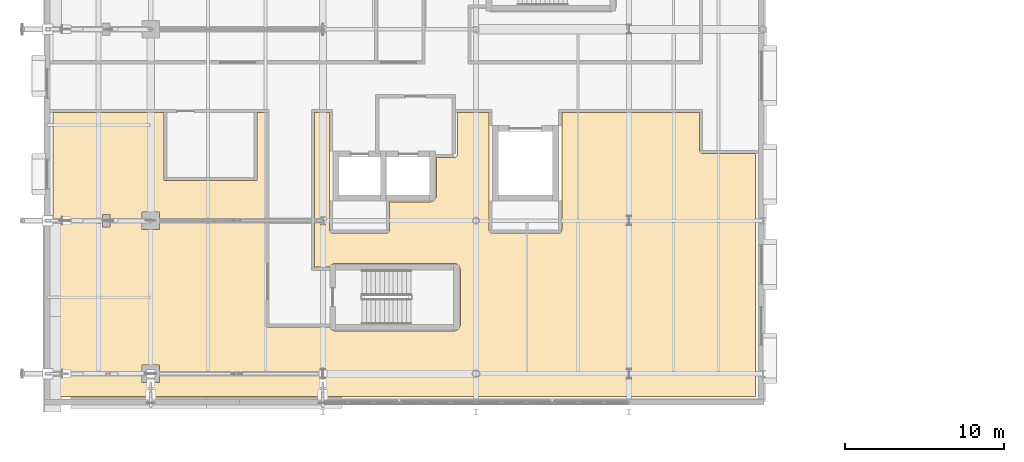
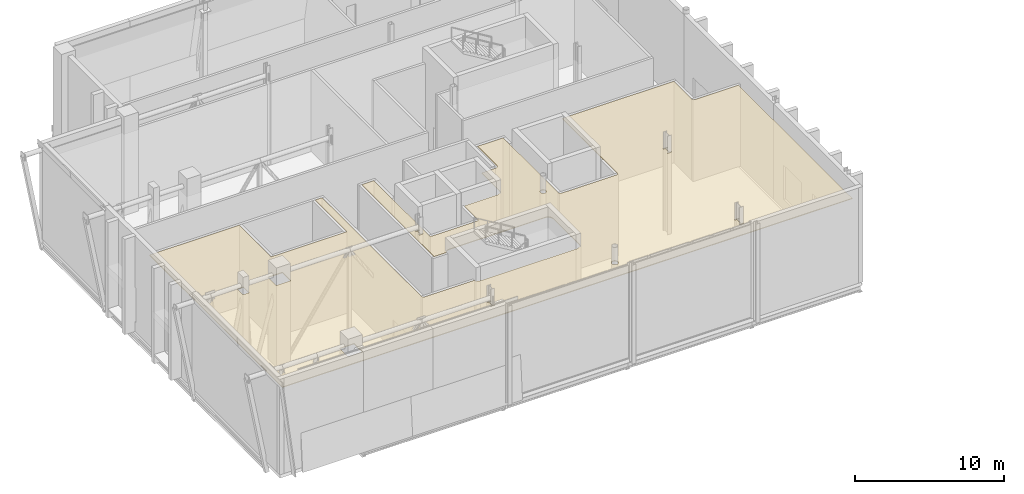
# One storey, part 65 of 79: 1 covering.
"""IFC4 building model written with IfcOpenShell, lengths in metres."""

from ifc_helpers import new_model, si_unit, direction, frame, origin, place, context, subcontext, project, spatial, polyline, outline, extrude, material, layer, layer_set, type_object, element, save


model = new_model("IFC4")

# Units and contexts
model_context = context("Model", 3, precision=1e-05, world=origin(), true_north=direction((0.0, 1.0)))
body_context = subcontext(model_context, "Body", "Model", "MODEL_VIEW")
ifc_project = project(units=[si_unit("LENGTHUNIT", "METRE"), si_unit("AREAUNIT", "SQUARE_METRE"), si_unit("VOLUMEUNIT", "CUBIC_METRE"), si_unit("PLANEANGLEUNIT", "RADIAN"), si_unit("MASSUNIT", "GRAM", prefix="KILO")], contexts=[model_context])

# Site, building, storey
site_placement = place(None, origin())
site = spatial("IfcSite", under=ifc_project, at=site_placement, CompositionType="ELEMENT")
building_placement = place(site_placement, origin())
building = spatial("IfcBuilding", under=site, at=building_placement, Name="Zereglee Splitstone Museum", CompositionType="ELEMENT")
storey_placement = place(building_placement, frame((0.0, 0.0, 9.0)))
storey = spatial("IfcBuildingStorey", under=building, at=storey_placement, Name="L02", CompositionType="ELEMENT", Elevation=9.0)

# Covering
ifc_material = material(Name="Siberian larch acoustic timber ceiling", Category="wood")
ifc_layer = layer(ifc_material, 0.06005859375)
ifc_layer_set = layer_set([ifc_layer], Name="Siberian larch acoustic timber ceiling")
covering_type = type_object("IfcCoveringType", Name="CLG-01", PredefinedType="CEILING", material=ifc_layer_set)
covering_placement = place(storey_placement, frame((0.0, 0.0, 6.639892578125)))
element("IfcCovering", 1, at=covering_placement, inside=storey, type_object=covering_type, Name="Acoustic Ceiling L02-033", PredefinedType="CEILING", context=body_context, shape_type="SweptSolid", body=[
    extrude(outline(polyline([(19.8798828125, 16.3701171875), (20.820068359375, 16.3701171875), (20.820068359375, 9.0), (20.820068359375, 8.9990234375), (20.82080078125, 8.9833984375), (20.821044921875, 8.9814453125), (20.8232421875, 8.9658203125), (20.82373046875, 8.9638671875), (20.827392578125, 8.94873046875), (20.828125, 8.94677734375), (20.833251953125, 8.931884765625), (20.833984375, 8.93017578125), (20.8408203125, 8.916015625), (20.841796875, 8.914306640625), (20.849853515625, 8.90087890625), (20.850830078125, 8.899169921875), (20.8603515625, 8.88671875), (20.861572265625, 8.885009765625), (20.8720703125, 8.873291015625), (20.873291015625, 8.8720703125), (20.885009765625, 8.861572265625), (20.88671875, 8.8603515625), (20.899169921875, 8.850830078125), (20.90087890625, 8.849853515625), (20.914306640625, 8.841796875), (20.916015625, 8.8408203125), (20.93017578125, 8.833984375), (20.931884765625, 8.833251953125), (20.94677734375, 8.828125), (20.94873046875, 8.827392578125), (20.9638671875, 8.82373046875), (20.9658203125, 8.8232421875), (20.9814453125, 8.821044921875), (20.9833984375, 8.82080078125), (20.9990234375, 8.820068359375), (21.0, 8.820068359375), (24.39990234375, 8.820068359375), (24.40087890625, 8.820068359375), (24.416748046875, 8.82080078125), (24.418701171875, 8.821044921875), (24.43408203125, 8.8232421875), (24.43603515625, 8.82373046875), (24.451416015625, 8.827392578125), (24.453125, 8.828125), (24.468017578125, 8.833251953125), (24.4697265625, 8.833984375), (24.48388671875, 8.8408203125), (24.485595703125, 8.841796875), (24.499267578125, 8.849853515625), (24.500732421875, 8.850830078125), (24.513427734375, 8.8603515625), (24.514892578125, 8.861572265625), (24.526611328125, 8.8720703125), (24.528076171875, 8.873291015625), (24.53857421875, 8.885009765625), (24.539794921875, 8.88671875), (24.549072265625, 8.899169921875), (24.55029296875, 8.90087890625), (24.558349609375, 8.914306640625), (24.55908203125, 8.916015625), (24.56591796875, 8.93017578125), (24.566650390625, 8.931884765625), (24.572021484375, 8.94677734375), (24.572509765625, 8.94873046875), (24.576416015625, 8.9638671875), (24.57666015625, 8.9658203125), (24.5791015625, 8.9814453125), (24.5791015625, 8.9833984375), (24.580078125, 8.9990234375), (24.580078125, 9.0), (24.580078125, 10.780029296875), (27.10009765625, 10.780029296875), (27.14111328125, 10.781982421875), (27.181884765625, 10.7880859375), (27.221923828125, 10.798095703125), (27.2607421875, 10.81201171875), (27.298095703125, 10.82958984375), (27.333251953125, 10.850830078125), (27.366455078125, 10.875244140625), (27.39697265625, 10.903076171875), (27.4248046875, 10.93359375), (27.44921875, 10.966796875), (27.470458984375, 11.001953125), (27.488037109375, 11.039306640625), (27.501953125, 11.078125), (27.511962890625, 11.1181640625), (27.51806640625, 11.15869140625), (27.52001953125, 11.199951171875), (27.52001953125, 13.550048828125), (28.60009765625, 13.550048828125), (28.62451171875, 13.55126953125), (28.648681640625, 13.5546875), (28.672607421875, 13.560791015625), (28.69580078125, 13.569091796875), (28.7177734375, 13.57958984375), (28.739013671875, 13.592041015625), (28.758544921875, 13.606689453125), (28.77685546875, 13.623291015625), (28.793212890625, 13.641357421875), (28.807861328125, 13.6611328125), (28.820556640625, 13.68212890625), (28.8310546875, 13.704345703125), (28.839111328125, 13.727294921875), (28.84521484375, 13.751220703125), (28.848876953125, 13.775390625), (28.85009765625, 13.800048828125), (28.85009765625, 16.3701171875), (30.820068359375, 16.3701171875), (30.820068359375, 9.0), (30.820068359375, 8.9990234375), (30.82080078125, 8.9833984375), (30.821044921875, 8.9814453125), (30.8232421875, 8.9658203125), (30.82373046875, 8.9638671875), (30.827392578125, 8.94873046875), (30.828125, 8.94677734375), (30.833251953125, 8.931884765625), (30.833984375, 8.93017578125), (30.8408203125, 8.916015625), (30.841796875, 8.914306640625), (30.849853515625, 8.90087890625), (30.850830078125, 8.899169921875), (30.8603515625, 8.88671875), (30.861572265625, 8.885009765625), (30.8720703125, 8.873291015625), (30.873291015625, 8.8720703125), (30.885009765625, 8.861572265625), (30.88671875, 8.8603515625), (30.899169921875, 8.850830078125), (30.90087890625, 8.849853515625), (30.914306640625, 8.841796875), (30.916015625, 8.8408203125), (30.93017578125, 8.833984375), (30.931884765625, 8.833251953125), (30.94677734375, 8.828125), (30.94873046875, 8.827392578125), (30.9638671875, 8.82373046875), (30.9658203125, 8.8232421875), (30.9814453125, 8.821044921875), (30.9833984375, 8.82080078125), (30.9990234375, 8.820068359375), (31.0, 8.820068359375), (35.199951171875, 8.820068359375), (35.200927734375, 8.820068359375), (35.216796875, 8.82080078125), (35.218505859375, 8.821044921875), (35.234130859375, 8.8232421875), (35.236083984375, 8.82373046875), (35.251220703125, 8.827392578125), (35.253173828125, 8.828125), (35.26806640625, 8.833251953125), (35.269775390625, 8.833984375), (35.283935546875, 8.8408203125), (35.28564453125, 8.841796875), (35.29931640625, 8.849853515625), (35.30078125, 8.850830078125), (35.3134765625, 8.8603515625), (35.31494140625, 8.861572265625), (35.32666015625, 8.8720703125), (35.327880859375, 8.873291015625), (35.33837890625, 8.885009765625), (35.339599609375, 8.88671875), (35.34912109375, 8.899169921875), (35.35009765625, 8.90087890625), (35.3583984375, 8.914306640625), (35.359130859375, 8.916015625), (35.365966796875, 8.93017578125), (35.36669921875, 8.931884765625), (35.371826171875, 8.94677734375), (35.37255859375, 8.94873046875), (35.376220703125, 8.9638671875), (35.376708984375, 8.9658203125), (35.37890625, 8.9814453125), (35.379150390625, 8.9833984375), (35.3798828125, 8.9990234375), (35.3798828125, 9.0), (35.3798828125, 16.3701171875), (44.02001953125, 16.3701171875), (44.02001953125, 14.0), (44.02001953125, 13.9990234375), (44.020751953125, 13.9833984375), (44.02099609375, 13.9814453125), (44.023193359375, 13.9658203125), (44.023681640625, 13.9638671875), (44.027587890625, 13.94873046875), (44.028076171875, 13.94677734375), (44.033203125, 13.931884765625), (44.0341796875, 13.93017578125), (44.040771484375, 13.916015625), (44.041748046875, 13.914306640625), (44.0498046875, 13.90087890625), (44.05078125, 13.899169921875), (44.060302734375, 13.88671875), (44.0615234375, 13.885009765625), (44.072021484375, 13.873291015625), (44.073486328125, 13.8720703125), (44.085205078125, 13.861572265625), (44.086669921875, 13.8603515625), (44.09912109375, 13.850830078125), (44.100830078125, 13.849853515625), (44.1142578125, 13.841796875), (44.115966796875, 13.8408203125), (44.130126953125, 13.833984375), (44.132080078125, 13.833251953125), (44.146728515625, 13.828125), (44.148681640625, 13.827392578125), (44.163818359375, 13.82373046875), (44.166015625, 13.8232421875), (44.181396484375, 13.821044921875), (44.183349609375, 13.82080078125), (44.198974609375, 13.820068359375), (44.199951171875, 13.820068359375), (47.5400390625, 13.820068359375), (47.5400390625, -1.43994140625), (3.4599609375, -1.43994140625), (3.4599609375, 16.3701171875), (10.419921875, 16.3701171875), (10.419921875, 12.1298828125), (10.420166015625, 12.1279296875), (10.42041015625, 12.126220703125), (10.4208984375, 12.124267578125), (10.42138671875, 12.122314453125), (10.42236328125, 12.12060546875), (10.42333984375, 12.118896484375), (10.424560546875, 12.1171875), (10.42578125, 12.115966796875), (10.42724609375, 12.114501953125), (10.428955078125, 12.11328125), (10.4306640625, 12.1123046875), (10.432373046875, 12.111572265625), (10.43408203125, 12.11083984375), (10.43603515625, 12.1103515625), (10.43798828125, 12.110107421875), (10.43994140625, 12.110107421875), (16.260009765625, 12.110107421875), (16.261962890625, 12.110107421875), (16.263916015625, 12.1103515625), (16.265869140625, 12.11083984375), (16.267578125, 12.111572265625), (16.269287109375, 12.1123046875), (16.27099609375, 12.11328125), (16.272705078125, 12.114501953125), (16.274169921875, 12.115966796875), (16.275390625, 12.1171875), (16.276611328125, 12.118896484375), (16.277587890625, 12.12060546875), (16.278564453125, 12.122314453125), (16.279052734375, 12.124267578125), (16.279541015625, 12.126220703125), (16.27978515625, 12.1279296875), (16.280029296875, 12.1298828125), (16.280029296875, 16.3701171875), (16.820068359375, 16.3701171875), (16.820068359375, 3.10009765625), (16.820068359375, 3.09912109375), (16.82080078125, 3.083251953125), (16.821044921875, 3.081298828125), (16.8232421875, 3.06591796875), (16.82373046875, 3.06396484375), (16.827392578125, 3.048583984375), (16.828125, 3.046875), (16.833251953125, 3.031982421875), (16.833984375, 3.0302734375), (16.8408203125, 3.01611328125), (16.841796875, 3.014404296875), (16.849853515625, 3.000732421875), (16.850830078125, 2.999267578125), (16.8603515625, 2.986572265625), (16.861572265625, 2.985107421875), (16.8720703125, 2.973388671875), (16.873291015625, 2.971923828125), (16.885009765625, 2.96142578125), (16.88671875, 2.960205078125), (16.899169921875, 2.950927734375), (16.90087890625, 2.94970703125), (16.914306640625, 2.941650390625), (16.916015625, 2.94091796875), (16.93017578125, 2.93408203125), (16.931884765625, 2.933349609375), (16.94677734375, 2.927978515625), (16.94873046875, 2.927490234375), (16.9638671875, 2.923583984375), (16.9658203125, 2.92333984375), (16.9814453125, 2.9208984375), (16.9833984375, 2.9208984375), (16.9990234375, 2.919921875), (17.0, 2.919921875), (20.821044921875, 2.919921875), (20.82958984375, 2.902099609375), (20.850830078125, 2.86669921875), (20.875244140625, 2.83349609375), (20.903076171875, 2.802978515625), (20.93359375, 2.775390625), (20.966796875, 2.750732421875), (21.001953125, 2.7294921875), (21.039306640625, 2.7119140625), (21.078125, 2.697998046875), (21.1181640625, 2.68798828125), (21.15869140625, 2.681884765625), (21.199951171875, 2.679931640625), (28.60009765625, 2.679931640625), (28.64111328125, 2.681884765625), (28.681884765625, 2.68798828125), (28.721923828125, 2.697998046875), (28.7607421875, 2.7119140625), (28.798095703125, 2.7294921875), (28.833251953125, 2.750732421875), (28.866455078125, 2.775390625), (28.89697265625, 2.802978515625), (28.9248046875, 2.83349609375), (28.94921875, 2.86669921875), (28.970458984375, 2.902099609375), (28.988037109375, 2.939208984375), (29.001953125, 2.97802734375), (29.011962890625, 3.01806640625), (29.01806640625, 3.058837890625), (29.02001953125, 3.10009765625), (29.02001953125, 6.5), (29.01806640625, 6.541259765625), (29.011962890625, 6.581787109375), (29.001953125, 6.621826171875), (28.988037109375, 6.66064453125), (28.970458984375, 6.697998046875), (28.94921875, 6.7333984375), (28.9248046875, 6.766357421875), (28.89697265625, 6.797119140625), (28.866455078125, 6.82470703125), (28.833251953125, 6.84912109375), (28.798095703125, 6.870361328125), (28.7607421875, 6.887939453125), (28.721923828125, 6.90185546875), (28.681884765625, 6.911865234375), (28.64111328125, 6.91796875), (28.60009765625, 6.919921875), (21.199951171875, 6.919921875), (21.15869140625, 6.91796875), (21.1181640625, 6.911865234375), (21.078125, 6.90185546875), (21.039306640625, 6.887939453125), (21.001953125, 6.870361328125), (20.966796875, 6.84912109375), (20.93359375, 6.82470703125), (20.903076171875, 6.797119140625), (20.875244140625, 6.766357421875), (20.850830078125, 6.7333984375), (20.82958984375, 6.697998046875), (20.821044921875, 6.679931640625), (19.8798828125, 6.679931640625), (19.8798828125, 16.3701171875)]), holes=[polyline([(39.758056640625, 0.3330078125), (39.44189453125, 0.3330078125), (39.44189453125, 0.285888671875), (39.583984375, 0.285888671875), (39.583984375, -0.285888671875), (39.44189453125, -0.285888671875), (39.44189453125, -0.3330078125), (39.758056640625, -0.3330078125), (39.758056640625, -0.285888671875), (39.615966796875, -0.285888671875), (39.615966796875, 0.285888671875), (39.758056640625, 0.285888671875), (39.758056640625, 0.3330078125)]), polyline([(30.090576171875, -0.218505859375), (30.13134765625, -0.196533203125), (30.167236328125, -0.167236328125), (30.196533203125, -0.13134765625), (30.218505859375, -0.090576171875), (30.23193359375, -0.046142578125), (30.236572265625, 0.0), (30.23193359375, 0.046142578125), (30.218505859375, 0.090576171875), (30.196533203125, 0.13134765625), (30.167236328125, 0.167236328125), (30.13134765625, 0.196533203125), (30.090576171875, 0.218505859375), (30.046142578125, 0.23193359375), (30.0, 0.236572265625), (29.953857421875, 0.23193359375), (29.909423828125, 0.218505859375), (29.86865234375, 0.196533203125), (29.832763671875, 0.167236328125), (29.803466796875, 0.13134765625), (29.781494140625, 0.090576171875), (29.76806640625, 0.046142578125), (29.763427734375, 0.0), (29.76806640625, -0.046142578125), (29.781494140625, -0.090576171875), (29.803466796875, -0.13134765625), (29.832763671875, -0.167236328125), (29.86865234375, -0.196533203125), (29.909423828125, -0.218505859375), (29.953857421875, -0.23193359375), (30.0, -0.236572265625), (30.046142578125, -0.23193359375), (30.090576171875, -0.218505859375)]), polyline([(9.0419921875, 0.55810546875), (9.0419921875, -0.55810546875), (10.157958984375, -0.55810546875), (10.157958984375, 0.55810546875), (9.0419921875, 0.55810546875)]), polyline([(20.55810546875, 0.282958984375), (20.241943359375, 0.282958984375), (20.241943359375, 0.238037109375), (20.384521484375, 0.238037109375), (20.384521484375, -0.238037109375), (20.241943359375, -0.238037109375), (20.241943359375, -0.282958984375), (20.55810546875, -0.282958984375), (20.55810546875, -0.238037109375), (20.41552734375, -0.238037109375), (20.41552734375, 0.238037109375), (20.55810546875, 0.238037109375), (20.55810546875, 0.282958984375)]), polyline([(30.080810546875, 9.40478515625), (30.1171875, 9.42431640625), (30.1494140625, 9.45068359375), (30.175537109375, 9.482666015625), (30.195068359375, 9.519287109375), (30.20703125, 9.558837890625), (30.211181640625, 9.60009765625), (30.20703125, 9.64111328125), (30.195068359375, 9.680908203125), (30.175537109375, 9.71728515625), (30.1494140625, 9.749267578125), (30.1171875, 9.775634765625), (30.080810546875, 9.795166015625), (30.041259765625, 9.80712890625), (30.0, 9.811279296875), (29.958740234375, 9.80712890625), (29.919189453125, 9.795166015625), (29.8828125, 9.775634765625), (29.8505859375, 9.749267578125), (29.824462890625, 9.71728515625), (29.804931640625, 9.680908203125), (29.79296875, 9.64111328125), (29.788818359375, 9.60009765625), (29.79296875, 9.558837890625), (29.804931640625, 9.519287109375), (29.824462890625, 9.482666015625), (29.8505859375, 9.45068359375), (29.8828125, 9.42431640625), (29.919189453125, 9.40478515625), (29.958740234375, 9.392822265625), (30.0, 9.388916015625), (30.041259765625, 9.392822265625), (30.080810546875, 9.40478515625)]), polyline([(39.758056640625, 9.907958984375), (39.44189453125, 9.907958984375), (39.44189453125, 9.862060546875), (39.584228515625, 9.862060546875), (39.584228515625, 9.337890625), (39.44189453125, 9.337890625), (39.44189453125, 9.2919921875), (39.758056640625, 9.2919921875), (39.758056640625, 9.337890625), (39.61572265625, 9.337890625), (39.61572265625, 9.862060546875), (39.758056640625, 9.862060546875), (39.758056640625, 9.907958984375)]), polyline([(20.55810546875, 9.85791015625), (20.241943359375, 9.85791015625), (20.241943359375, 9.81396484375), (20.384765625, 9.81396484375), (20.384765625, 9.385986328125), (20.241943359375, 9.385986328125), (20.241943359375, 9.342041015625), (20.55810546875, 9.342041015625), (20.55810546875, 9.385986328125), (20.415283203125, 9.385986328125), (20.415283203125, 9.81396484375), (20.55810546875, 9.81396484375), (20.55810546875, 9.85791015625)]), polyline([(9.0419921875, 10.157958984375), (9.0419921875, 9.0419921875), (10.157958984375, 9.0419921875), (10.157958984375, 10.157958984375), (9.0419921875, 10.157958984375)]), polyline([(6.56689453125, 9.98291015625), (6.56689453125, 9.217041015625), (7.032958984375, 9.217041015625), (7.032958984375, 9.98291015625), (6.56689453125, 9.98291015625)])]), origin(), (0.0, 0.0, 1.0), 0.06005859375),
])

save(model, "model.ifc")
